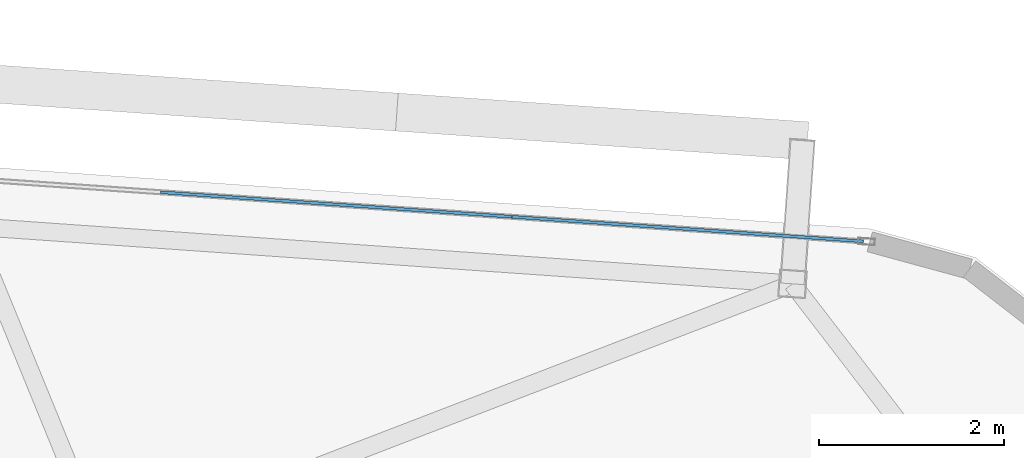
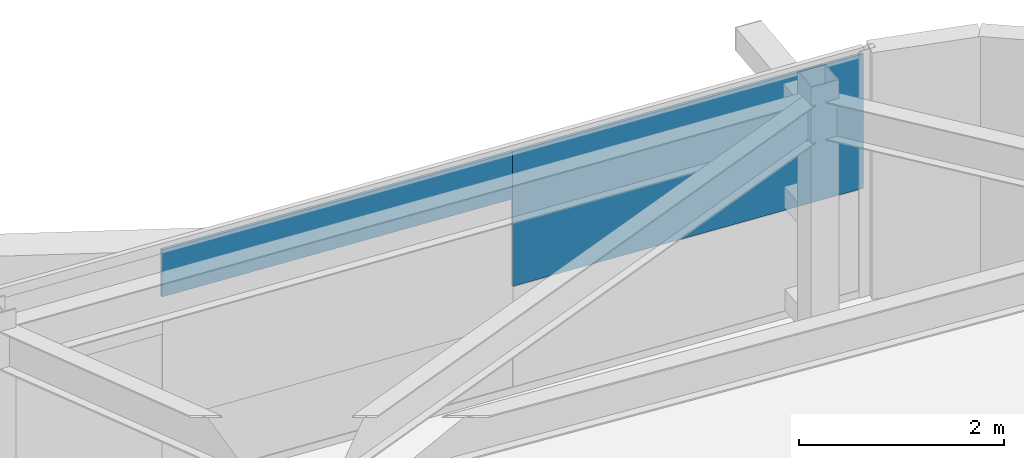
# One storey, part 26 of 39: 2 plates, 1 element without a shape of its own.
"""IFC4 building model written with IfcOpenShell, lengths in metres."""

from ifc_helpers import new_model, si_unit, direction, frame, origin, origin_2d, place, context, subcontext, project, spatial, rectangle, extrude, source, transform, mapped, material, layer, layer_set, type_object, element, aggregate, save


model = new_model("IFC4")

# Units and contexts
model_context = context("Model", 3, precision=1e-05, world=origin(), true_north=direction((0.0, 1.0)))
body_context = subcontext(model_context, "Body", "Model", "MODEL_VIEW")
ifc_project = project(units=[si_unit("LENGTHUNIT", "METRE"), si_unit("AREAUNIT", "SQUARE_METRE"), si_unit("VOLUMEUNIT", "CUBIC_METRE"), si_unit("PLANEANGLEUNIT", "RADIAN"), si_unit("MASSUNIT", "GRAM", prefix="KILO")], contexts=[model_context])

# Site, building, storey
site_placement = place(None, origin())
site = spatial("IfcSite", under=ifc_project, at=site_placement, CompositionType="ELEMENT")
building_placement = place(site_placement, origin())
building = spatial("IfcBuilding", under=site, at=building_placement, Name="Taldren Reach Tower", CompositionType="ELEMENT")
storey_placement = place(building_placement, frame((0.0, 0.0, 148.75)))
storey = spatial("IfcBuildingStorey", under=building, at=storey_placement, Name="L45", CompositionType="ELEMENT", Elevation=148.75)

# Curtain wall, plates
ifc_material_1 = material(Name="Aluminium and Low-E Glass Unitised System", Category="aluminium")
ifc_layer_1 = layer(ifc_material_1, 0.159912109375)
ifc_layer_set_1 = layer_set([ifc_layer_1], Name="Aluminium and Low-E Glass Unitised System")
curtain_wall_type = type_object("IfcCurtainWallType", Name="CW-SYS-4", PredefinedType="NOTDEFINED", material=ifc_layer_set_1)
curtain_wall_placement = place(storey_placement, origin())
curtain_wall = element("IfcCurtainWall", 1, at=curtain_wall_placement, inside=storey, type_object=curtain_wall_type, Name="Unitised curtain wall CW-L45-N", PredefinedType="NOTDEFINED")
ifc_material_2 = material(Name="Solar-Control Double Glazed IGU", Category="glass")
ifc_layer_2 = layer(ifc_material_2, 0.031982421875)
ifc_layer_set_2 = layer_set([ifc_layer_2], Name="Solar-Control Double Glazed IGU")
plate_type = type_object("IfcPlateType", Name="CW-PNL-IGU32", PredefinedType="CURTAIN_PANEL", material=ifc_layer_set_2)
shared_shape_1 = source(origin(), body_context, "Body", "SweptSolid", [
    extrude(rectangle(XDim=3.79833984375, YDim=0.031982421875, at=origin_2d()), origin(), (0.0, 0.0, 1.0), 1.597900390625),
])
plate_1_placement = place(storey_placement, frame((57.3056640625, 35.451904296875, 1.27734375), z_axis=(0.0, 0.0, 1.0), x_axis=(-0.99756404731, 0.06975651593, 0.0)))
plate_1 = element("IfcPlate", 2, at=plate_1_placement, type_object=plate_type, Name="CW-4 panel 1.1 part 1", PredefinedType="CURTAIN_PANEL", context=body_context, shape_type="MappedRepresentation", body=[
    mapped(shared_shape_1, transform((0.0, 0.0, 0.0), scale=1.0)),
])
shared_shape_2 = source(origin(), body_context, "Body", "SweptSolid", [
    extrude(rectangle(XDim=3.79833984375, YDim=0.031982421875, at=origin_2d()), origin(), (0.0, 0.0, 1.0), 0.558349609375),
])
plate_2_placement = place(storey_placement, frame((53.5166015625, 35.716796875, 2.31640625), z_axis=(0.0, 0.0, 1.0), x_axis=(-0.99756404731, 0.06975651593, 0.0)))
plate_2 = element("IfcPlate", 3, at=plate_2_placement, type_object=plate_type, Name="CW-4 panel 1.1 part 3", PredefinedType="CURTAIN_PANEL", context=body_context, shape_type="MappedRepresentation", body=[
    mapped(shared_shape_2, transform((0.0, 0.0, 0.0), scale=1.0)),
])
aggregate(curtain_wall, [plate_1, plate_2])

save(model, "model.ifc")
